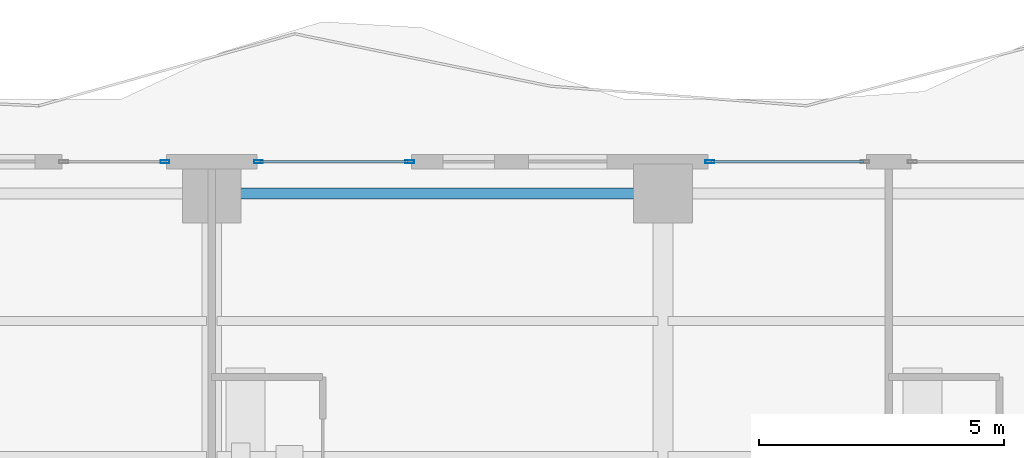
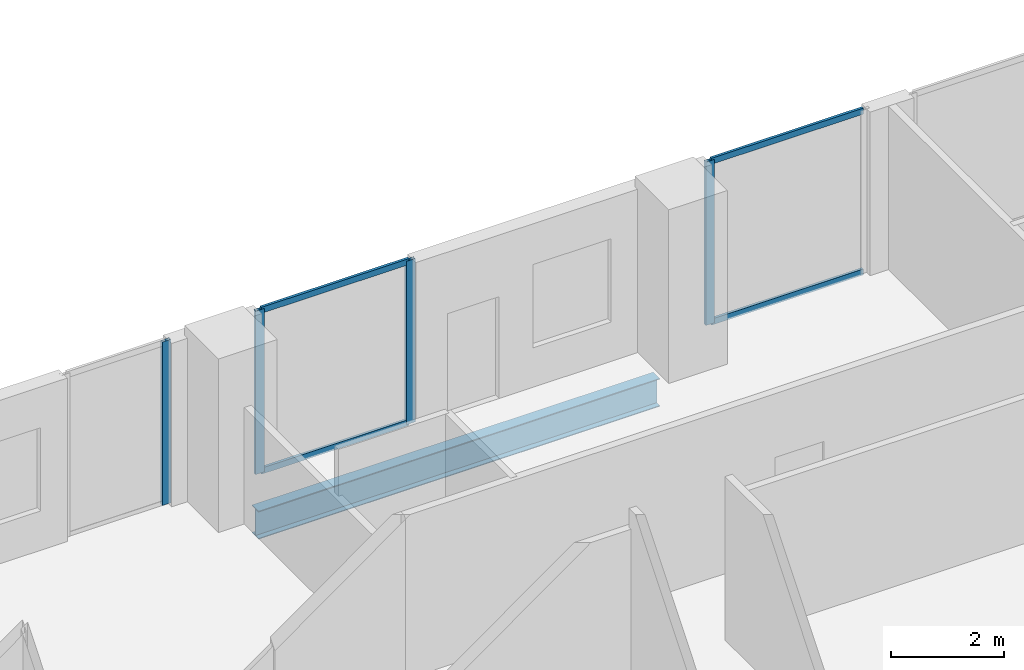
# One storey, part 20 of 33: 8 members, 1 beam, 3 elements without a shape of their own.
"""IFC4 building model written with IfcOpenShell, lengths in metres."""

from ifc_helpers import new_model, si_unit, direction, frame, origin, origin_2d, place, context, subcontext, project, spatial, hollow_rectangle, i_section, extrude, material, layer, layer_set, material_profile, profile_set, type_object, element, aggregate, save


model = new_model("IFC4")

# Units and contexts
model_context = context("Model", 3, precision=1e-05, world=origin(), true_north=direction((0.0, 1.0)))
body_context = subcontext(model_context, "Body", "Model", "MODEL_VIEW")
ifc_project = project(units=[si_unit("LENGTHUNIT", "METRE"), si_unit("AREAUNIT", "SQUARE_METRE"), si_unit("VOLUMEUNIT", "CUBIC_METRE"), si_unit("PLANEANGLEUNIT", "RADIAN"), si_unit("MASSUNIT", "GRAM", prefix="KILO")], contexts=[model_context])

# Site, building, storey
site_placement = place(None, origin())
site = spatial("IfcSite", under=ifc_project, at=site_placement, CompositionType="ELEMENT")
building_placement = place(site_placement, origin())
building = spatial("IfcBuilding", under=site, at=building_placement, Name="Zuhayl Quay Hotel", CompositionType="ELEMENT")
storey_placement = place(building_placement, frame((0.0, 0.0, 211.14990234375)))
storey = spatial("IfcBuildingStorey", under=building, at=storey_placement, Name="L53", CompositionType="ELEMENT", Elevation=211.14990234375)

# Beam
ifc_material_1 = material(Name="Steel ASTM A992 Grade 50", Category="steel")
ifc_material_profile_1 = material_profile(ifc_material_1, i_section(OverallWidth=0.22802734375, OverallDepth=0.60693359375, WebThickness=0.01123046875, FlangeThickness=0.017333984375, at=origin_2d()), Name="W24X76")
ifc_profile_set_1 = profile_set([ifc_material_profile_1], Name="Steel ASTM A992 Grade 50")
beam_type = type_object("IfcBeamType", Name="BM_B3_W24X76", PredefinedType="BEAM", material=ifc_profile_set_1)
beam_placement = place(storey_placement, frame((4.10009765625, 32.949951171875, -0.5234375), z_axis=(-1.0, 0.0, 0.0), x_axis=(0.0, -1.0, 0.0)))
element("IfcBeam", 1, at=beam_placement, inside=storey, type_object=beam_type, Name="L53 Floor Beam RG_L53_08", PredefinedType="BEAM", context=body_context, shape_type="SweptSolid", body=[
    extrude(i_section(OverallWidth=0.22802734375, OverallDepth=0.60693359375, WebThickness=0.01123046875, FlangeThickness=0.017333984375, at=origin_2d()), origin(), (0.0, 0.0, 1.0), 8.2001953125),
])

# Curtain wall, member
ifc_material_2 = material(Name="Anodised Aluminium 6063-T6", Category="aluminium")
ifc_layer = layer(ifc_material_2, 0.175048828125, Name="Anodised Aluminium 6063-T6", Category="aluminium")
ifc_layer_set = layer_set([ifc_layer], Name="Anodised Aluminium 6063-T6")
curtain_wall_type = type_object("IfcCurtainWallType", Name="CW_SYS_Z3", PredefinedType="USERDEFINED", material=ifc_layer_set)
curtain_wall_1_placement = place(storey_placement, origin())
curtain_wall_1 = element("IfcCurtainWall", 2, at=curtain_wall_1_placement, inside=storey, type_object=curtain_wall_type, Name="L53 Curtain Wall ENV_L53_N_CW3", ObjectType="UNITISED CURTAIN WALL", PredefinedType="USERDEFINED")
ifc_material_3 = material(Name="Black-anodised aluminium 6063-T6", Category="aluminium")
ifc_material_profile_2 = material_profile(ifc_material_3, hollow_rectangle(XDim=0.06494140625, YDim=0.179931640625, WallThickness=0.00341796875, at=origin_2d()), Name="ALU180X65")
ifc_profile_set_2 = profile_set([ifc_material_profile_2], Name="Black-anodised aluminium 6063-T6")
member_type_1 = type_object("IfcMemberType", Name="MB_CW_MUL_180", PredefinedType="MULLION", material=ifc_profile_set_2)
member_1_placement = place(storey_placement, frame((-5.552490234375, 33.60009765625, 0.0), z_axis=(0.0, 0.0, 1.0), x_axis=(0.0, 1.0, 0.0)))
member_1 = element("IfcMember", 3, at=member_1_placement, type_object=member_type_1, Name="CW-Z3 mullion 2", PredefinedType="MULLION", context=body_context, shape_type="SweptSolid", body=[
    extrude(hollow_rectangle(XDim=0.06494140625, YDim=0.179931640625, WallThickness=0.00341796875, at=origin_2d()), origin(), (0.0, 0.0, 1.0), 3.530029296875),
])
aggregate(curtain_wall_1, [member_1])

# Curtain wall, members
curtain_wall_2_placement = place(storey_placement, origin())
curtain_wall_2 = element("IfcCurtainWall", 4, at=curtain_wall_2_placement, inside=storey, type_object=curtain_wall_type, Name="L53 Curtain Wall ENV_L53_N_CW4", ObjectType="UNITISED CURTAIN WALL", PredefinedType="USERDEFINED")
member_2_placement = place(storey_placement, frame((-3.6474609375, 33.60009765625, 0.0), z_axis=(0.0, 0.0, 1.0), x_axis=(0.0, 1.0, 0.0)))
member_2 = element("IfcMember", 5, at=member_2_placement, type_object=member_type_1, Name="CW-Z3 mullion 1", PredefinedType="MULLION", context=body_context, shape_type="SweptSolid", body=[
    extrude(hollow_rectangle(XDim=0.06494140625, YDim=0.179931640625, WallThickness=0.00341796875, at=origin_2d()), origin(), (0.0, 0.0, 1.0), 3.530029296875),
])
member_3_placement = place(storey_placement, frame((-0.5634765625, 33.60009765625, 0.0), z_axis=(0.0, 0.0, 1.0), x_axis=(0.0, 1.0, 0.0)))
member_3 = element("IfcMember", 6, at=member_3_placement, type_object=member_type_1, Name="CW-Z3 mullion 2", PredefinedType="MULLION", context=body_context, shape_type="SweptSolid", body=[
    extrude(hollow_rectangle(XDim=0.06494140625, YDim=0.179931640625, WallThickness=0.00341796875, at=origin_2d()), origin(), (0.0, 0.0, 1.0), 3.530029296875),
])

# Curtain wall, member
curtain_wall_3_placement = place(storey_placement, origin())
curtain_wall_3 = element("IfcCurtainWall", 7, at=curtain_wall_3_placement, inside=storey, type_object=curtain_wall_type, Name="L53 Curtain Wall ENV_L53_N_CW5", ObjectType="UNITISED CURTAIN WALL", PredefinedType="USERDEFINED")
member_4_placement = place(storey_placement, frame((5.552490234375, 33.60009765625, 0.0), z_axis=(0.0, 0.0, 1.0), x_axis=(0.0, 1.0, 0.0)))
member_4 = element("IfcMember", 8, at=member_4_placement, type_object=member_type_1, Name="CW-Z3 mullion 1", PredefinedType="MULLION", context=body_context, shape_type="SweptSolid", body=[
    extrude(hollow_rectangle(XDim=0.06494140625, YDim=0.179931640625, WallThickness=0.00341796875, at=origin_2d()), origin(), (0.0, 0.0, 1.0), 3.530029296875),
])

# Member
ifc_material_profile_3 = material_profile(ifc_material_3, hollow_rectangle(XDim=0.054931640625, YDim=0.1298828125, WallThickness=0.0029296875, at=origin_2d()), Name="ALU130X55")
ifc_profile_set_3 = profile_set([ifc_material_profile_3], Name="Black-anodised aluminium 6063-T6")
member_type_2 = type_object("IfcMemberType", Name="MB_CW_TRN_130", PredefinedType="USERDEFINED", material=ifc_profile_set_3)
member_5_placement = place(storey_placement, frame((-3.614990234375, 33.60009765625, 0.027587890625), z_axis=(1.0, 0.0, 0.0), x_axis=(0.0, 1.0, 0.0)))
member_5 = element("IfcMember", 9, at=member_5_placement, type_object=member_type_2, Name="CW-Z3 transom 1.1", ObjectType="TRANSOM", PredefinedType="USERDEFINED", context=body_context, shape_type="SweptSolid", body=[
    extrude(hollow_rectangle(XDim=0.054931640625, YDim=0.1298828125, WallThickness=0.0029296875, at=origin_2d()), origin(), (0.0, 0.0, 1.0), 3.01904296875),
])

member_6_placement = place(storey_placement, frame((-3.614990234375, 33.60009765625, 3.502685546875), z_axis=(1.0, 0.0, 0.0), x_axis=(0.0, 1.0, 0.0)))
member_6 = element("IfcMember", 10, at=member_6_placement, type_object=member_type_2, Name="CW-Z3 transom 1.2", ObjectType="TRANSOM", PredefinedType="USERDEFINED", context=body_context, shape_type="SweptSolid", body=[
    extrude(hollow_rectangle(XDim=0.054931640625, YDim=0.1298828125, WallThickness=0.0029296875, at=origin_2d()), origin(), (0.0, 0.0, 1.0), 3.01904296875),
])

aggregate(curtain_wall_2, [member_2, member_3, member_5, member_6])

member_7_placement = place(storey_placement, frame((5.5849609375, 33.60009765625, 0.027587890625), z_axis=(1.0, 0.0, 0.0), x_axis=(0.0, 1.0, 0.0)))
member_7 = element("IfcMember", 11, at=member_7_placement, type_object=member_type_2, Name="CW-Z3 transom 1.1", ObjectType="TRANSOM", PredefinedType="USERDEFINED", context=body_context, shape_type="SweptSolid", body=[
    extrude(hollow_rectangle(XDim=0.054931640625, YDim=0.1298828125, WallThickness=0.0029296875, at=origin_2d()), origin(), (0.0, 0.0, 1.0), 3.10009765625),
])

member_8_placement = place(storey_placement, frame((5.5849609375, 33.60009765625, 3.502685546875), z_axis=(1.0, 0.0, 0.0), x_axis=(0.0, 1.0, 0.0)))
member_8 = element("IfcMember", 12, at=member_8_placement, type_object=member_type_2, Name="CW-Z3 transom 1.2", ObjectType="TRANSOM", PredefinedType="USERDEFINED", context=body_context, shape_type="SweptSolid", body=[
    extrude(hollow_rectangle(XDim=0.054931640625, YDim=0.1298828125, WallThickness=0.0029296875, at=origin_2d()), origin(), (0.0, 0.0, 1.0), 3.10009765625),
])

aggregate(curtain_wall_3, [member_4, member_7, member_8])

save(model, "model.ifc")
